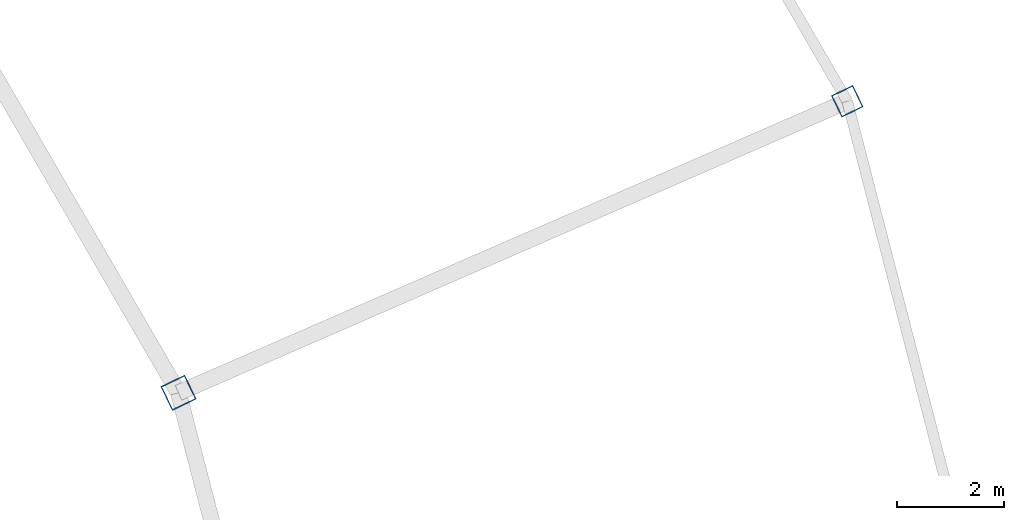
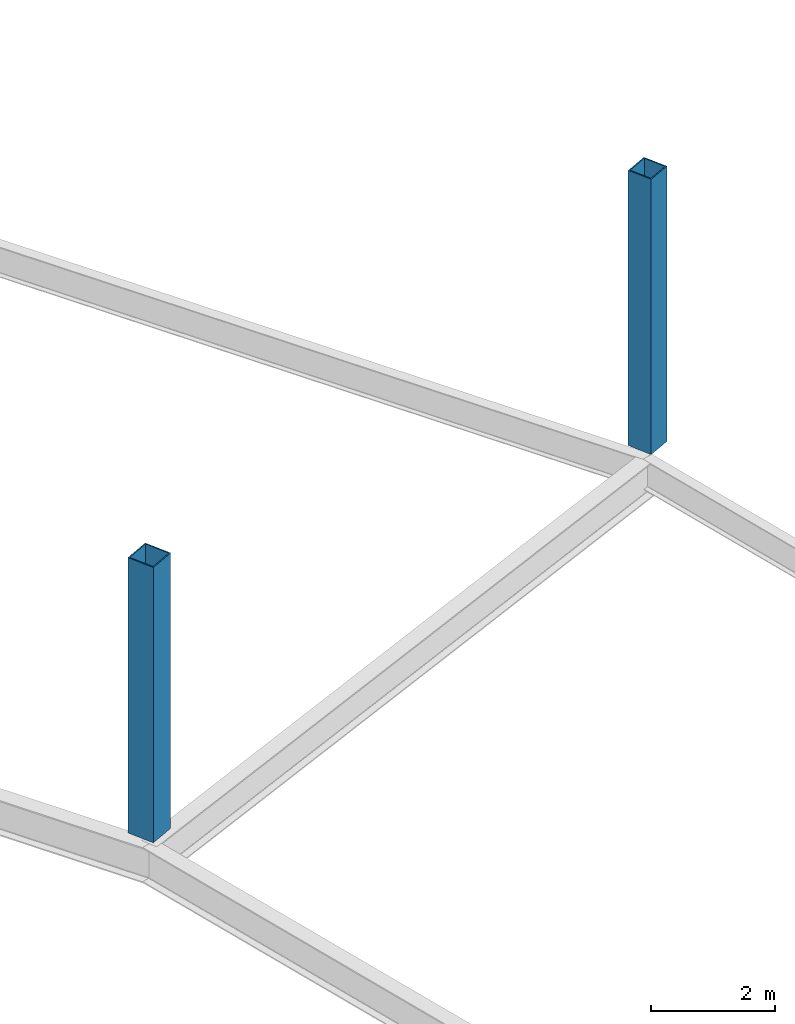
# One storey, part 7 of 103: 2 columns.
"""IFC4 building model written with IfcOpenShell, lengths in metres."""

from ifc_helpers import new_model, si_unit, direction, frame, origin, origin_2d, place, context, subcontext, project, spatial, hollow_rectangle, extrude, material, material_profile, profile_set, type_object, element, save


model = new_model("IFC4")

# Units and contexts
model_context = context("Model", 3, precision=1e-05, world=origin(), true_north=direction((0.0, 1.0)))
body_context = subcontext(model_context, "Body", "Model", "MODEL_VIEW")
ifc_project = project(units=[si_unit("LENGTHUNIT", "METRE"), si_unit("AREAUNIT", "SQUARE_METRE"), si_unit("VOLUMEUNIT", "CUBIC_METRE"), si_unit("PLANEANGLEUNIT", "RADIAN"), si_unit("MASSUNIT", "GRAM", prefix="KILO")], contexts=[model_context])

# Site, building, storey
site_placement = place(None, origin())
site = spatial("IfcSite", under=ifc_project, at=site_placement, CompositionType="ELEMENT")
building_placement = place(site_placement, origin())
building = spatial("IfcBuilding", under=site, at=building_placement, Name="Kazemori Nagisa Stadium", CompositionType="ELEMENT")
storey_placement = place(building_placement, frame((0.0, 0.0, 25.840087890625)))
storey = spatial("IfcBuildingStorey", under=building, at=storey_placement, Name="L05", CompositionType="ELEMENT", Elevation=25.840087890625)

# Columns
ifc_material = material(Name="Steel STKR490", Category="steel")
ifc_material_profile_1 = material_profile(ifc_material, hollow_rectangle(XDim=0.449951171875, YDim=0.449951171875, WallThickness=0.02197265625, at=origin_2d()), Name="SHS-450x450x22")
ifc_profile_set_1 = profile_set([ifc_material_profile_1], Name="Steel STKR490")
column_type_1 = type_object("IfcColumnType", Name="Column_C-ST450", PredefinedType="COLUMN", material=ifc_profile_set_1)
column_1_placement = place(storey_placement, frame((211.885009765625, 140.74951171875, 0.0), z_axis=(0.0, 0.0, 1.0), x_axis=(0.900968867905, 0.433883739113, 0.0)))
element("IfcColumn", 1, at=column_1_placement, inside=storey, type_object=column_type_1, Name="Column C-ST450 L05 R3-03", PredefinedType="COLUMN", context=body_context, shape_type="SweptSolid", body=[
    extrude(hollow_rectangle(XDim=0.449951171875, YDim=0.449951171875, WallThickness=0.02197265625, at=origin_2d()), origin(), (0.0, 0.0, 1.0), 5.43994140625),
])
ifc_material_profile_2 = material_profile(ifc_material, hollow_rectangle(XDim=0.5, YDim=0.5, WallThickness=0.02197265625, at=origin_2d()), Name="SHS-500x500x22")
ifc_profile_set_2 = profile_set([ifc_material_profile_2], Name="Steel STKR490")
column_type_2 = type_object("IfcColumnType", Name="Column_C-ST500", PredefinedType="COLUMN", material=ifc_profile_set_2)
column_2_placement = place(storey_placement, frame((199.44091796875, 135.32470703125, 0.0), z_axis=(0.0, 0.0, 1.0), x_axis=(0.900968867905, 0.433883739113, 0.0)))
element("IfcColumn", 2, at=column_2_placement, inside=storey, type_object=column_type_2, Name="Column C-ST500 L05 R2-03", PredefinedType="COLUMN", context=body_context, shape_type="SweptSolid", body=[
    extrude(hollow_rectangle(XDim=0.5, YDim=0.5, WallThickness=0.02197265625, at=origin_2d()), origin(), (0.0, 0.0, 1.0), 5.43994140625),
])

save(model, "model.ifc")
